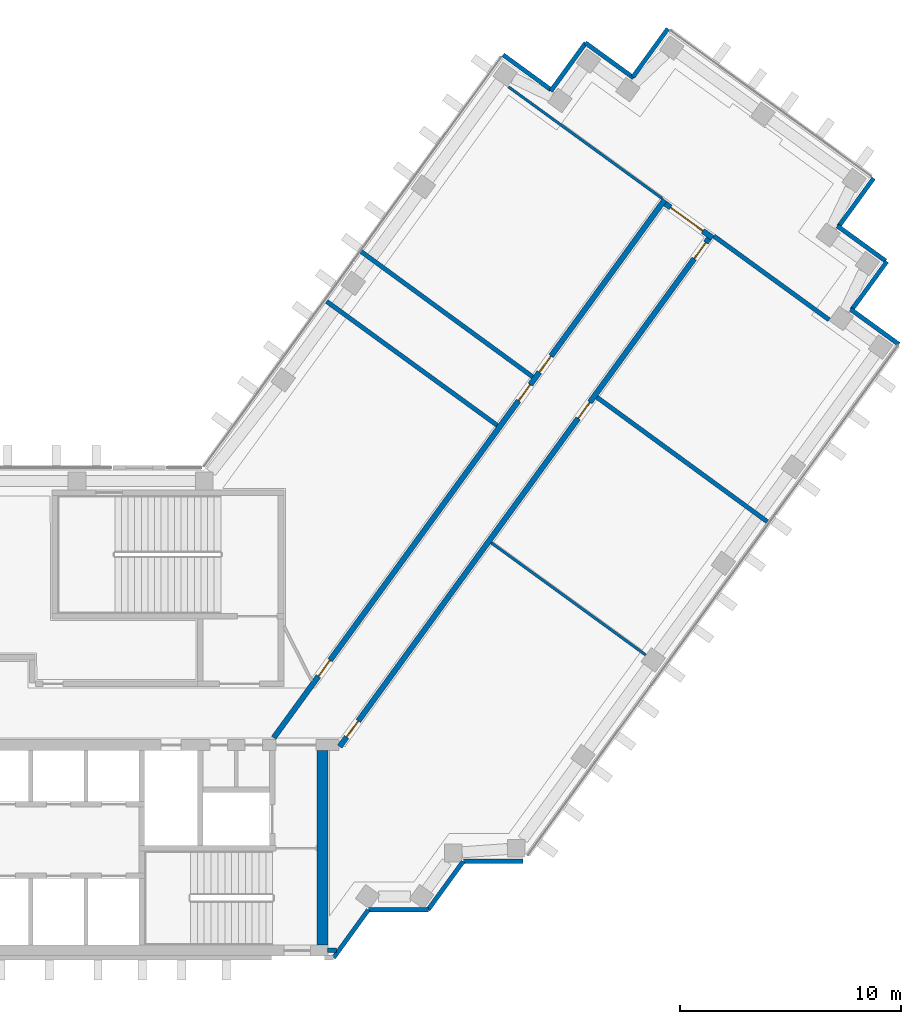
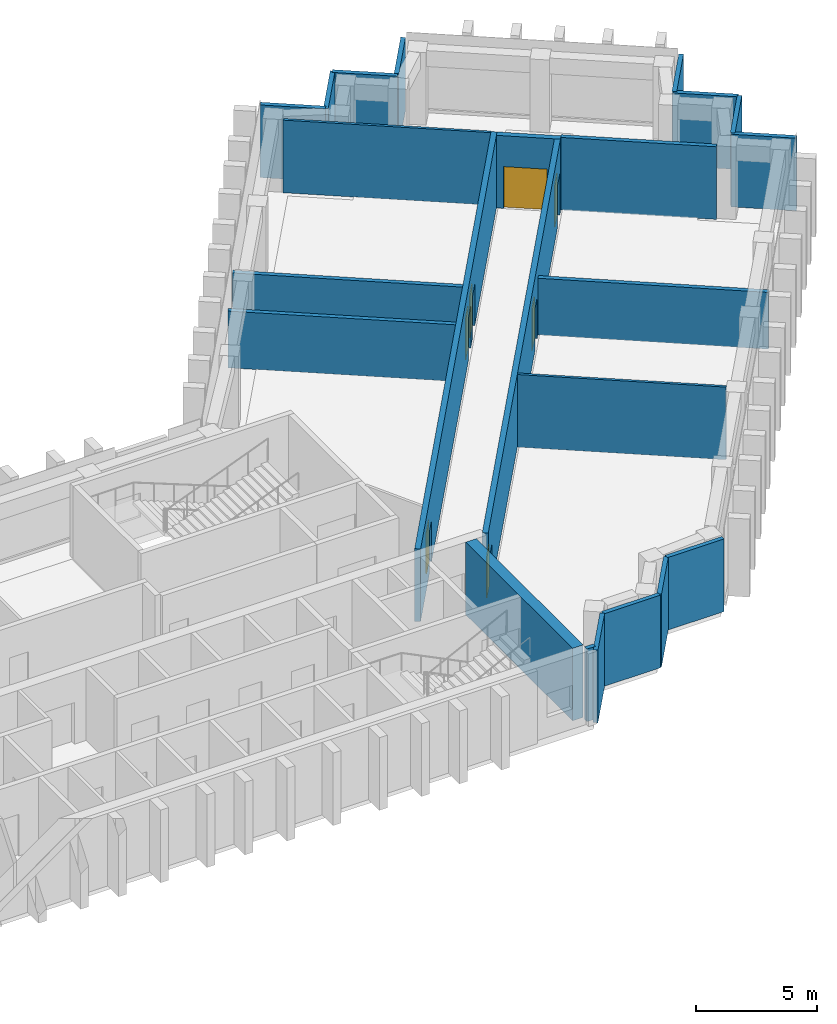
# One storey, part 9 of 12: 23 walls, 7 doors, 7 openings.
"""IFC4 building model written with IfcOpenShell, lengths in metres."""

from ifc_helpers import new_model, si_unit, direction, frame, frame_2d, origin, place, context, subcontext, project, spatial, rectangle, extrude, material, layer, layer_set, type_object, element, fill, save


model = new_model("IFC4")

# Units and contexts
model_context = context("Model", 3, precision=1e-05, world=origin(), true_north=direction((0.0, 1.0)))
body_context = subcontext(model_context, "Body", "Model", "MODEL_VIEW")
ifc_project = project(units=[si_unit("LENGTHUNIT", "METRE"), si_unit("AREAUNIT", "SQUARE_METRE"), si_unit("VOLUMEUNIT", "CUBIC_METRE"), si_unit("PLANEANGLEUNIT", "RADIAN"), si_unit("MASSUNIT", "GRAM", prefix="KILO")], contexts=[model_context])

# Site, building, storey
site_placement = place(None, origin())
site = spatial("IfcSite", under=ifc_project, at=site_placement, CompositionType="ELEMENT")
building_placement = place(site_placement, origin())
building = spatial("IfcBuilding", under=site, at=building_placement, Name="Quipu Civic Tower", CompositionType="ELEMENT")
storey_placement = place(building_placement, frame((0.0, 0.0, 152.0)))
storey = spatial("IfcBuildingStorey", under=building, at=storey_placement, Name="L35", CompositionType="ELEMENT", Elevation=152.0)

# Walls
ifc_material_1 = material(Name="Fired clay blockwork", Category="masonry")
ifc_layer_1 = layer(ifc_material_1, 0.199951171875)
ifc_layer_set_1 = layer_set([ifc_layer_1], Name="Fired clay blockwork")
wall_type_1 = type_object("IfcWallType", Name="Blockwork wall 200", PredefinedType="SOLIDWALL", material=ifc_layer_set_1)
wall_1_placement = place(storey_placement, frame((27.664306640625, 13.015869140625, 0.0), z_axis=(0.0, 0.0, 1.0), x_axis=(-0.80900684162, 0.587799226107, 0.0)))
element("IfcWall", 1, at=wall_1_placement, inside=storey, type_object=wall_type_1, Name="Partition P03", PredefinedType="SOLIDWALL", context=body_context, shape_type="SweptSolid", body=[
    extrude(rectangle(XDim=9.550048828125, YDim=0.199951171875, at=frame_2d((4.77490234375, 0.0))), origin(), (0.0, 0.0, 1.0), 2.85009765625),
])
wall_2_placement = place(storey_placement, frame((21.46875, 20.90771484375, 0.0), z_axis=(0.0, 0.0, 1.0), x_axis=(0.807593618158, -0.589739389824, 0.0)))
element("IfcWall", 2, at=wall_2_placement, inside=storey, type_object=wall_type_1, Name="Partition P04", PredefinedType="SOLIDWALL", context=body_context, shape_type="SweptSolid", body=[
    extrude(rectangle(XDim=9.651123046875, YDim=0.199951171875, at=frame_2d((4.82568359375, 0.0))), origin(), (0.0, 0.0, 1.0), 2.85009765625),
])
wall_3_placement = place(storey_placement, frame((42.68603515625, 17.793701171875, 0.0), z_axis=(0.0, 0.0, 1.0), x_axis=(-0.809017755079, 0.587784205272, 0.0)))
element("IfcWall", 3, at=wall_3_placement, inside=storey, type_object=wall_type_1, Name="Partition P10", PredefinedType="SOLIDWALL", context=body_context, shape_type="SweptSolid", body=[
    extrude(rectangle(XDim=6.444580078125, YDim=0.199951171875, at=frame_2d((3.22216796875, 0.0))), origin(), (0.0, 0.0, 1.0), 3.64990234375),
])
wall_4_placement = place(storey_placement, frame((32.173828125, 14.2880859375, 0.0), z_axis=(0.0, 0.0, 1.0), x_axis=(0.807664588563, -0.589642190131, 0.0)))
element("IfcWall", 4, at=wall_4_placement, inside=storey, type_object=wall_type_1, Name="Partition P11", PredefinedType="SOLIDWALL", context=body_context, shape_type="SweptSolid", body=[
    extrude(rectangle(XDim=9.549560546875, YDim=0.199951171875, at=frame_2d((4.77490234375, 0.0))), origin(), (0.0, 0.0, 1.0), 2.85009765625),
])
ifc_material_2 = material(Name="Concrete C70/85", Category="concrete")
ifc_layer_2 = layer(ifc_material_2, 0.5)
ifc_layer_set_2 = layer_set([ifc_layer_2], Name="Concrete C70/85")
wall_type_2 = type_object("IfcWallType", Name="Core wall 500", PredefinedType="SHEAR", material=ifc_layer_set_2)
wall_5_placement = place(storey_placement, frame((19.75, -10.5, 0.0), z_axis=(0.0, 0.0, 1.0), x_axis=(0.0, 1.0, 0.0)))
element("IfcWall", 5, at=wall_5_placement, inside=storey, type_object=wall_type_2, Name="Core wall", PredefinedType="SHEAR", context=body_context, shape_type="SweptSolid", body=[
    extrude(rectangle(XDim=8.800048828125, YDim=0.5, at=frame_2d((4.39990234375, 0.0))), origin(), (0.0, 0.0, 1.0), 3.64990234375),
])

# Wall, openings, doors
ifc_material_3 = material(Name="Concrete C50/60", Category="concrete")
ifc_layer_3 = layer(ifc_material_3, 0.25)
ifc_layer_set_3 = layer_set([ifc_layer_3], Name="Concrete C50/60")
wall_type_3 = type_object("IfcWallType", Name="Corridor wall 250 concrete", PredefinedType="SOLIDWALL", material=ifc_layer_set_3)
wall_6_placement = place(storey_placement, frame((17.544921875, -1.124755859375, 0.0), z_axis=(0.0, 0.0, 1.0), x_axis=(0.587786330937, 0.809016210693, 0.0)))
wall_6 = element("IfcWall", 6, at=wall_6_placement, inside=storey, type_object=wall_type_3, Name="Corridor wall C01", PredefinedType="SOLIDWALL", context=body_context, shape_type="SweptSolid", body=[
    extrude(rectangle(XDim=30.10302734375, YDim=0.25, at=frame_2d((15.051513671875, 0.0))), origin(), (0.0, 0.0, 1.0), 3.64990234375),
])
opening_1_placement = place(wall_6_placement, frame((3.44140625, 0.0, 0.0)))
opening_1 = element("IfcOpeningElement", 7, at=opening_1_placement, cuts=wall_6, Name="Opening D001", PredefinedType="OPENING", context=body_context, shape_type="SweptSolid", body=[
    extrude(rectangle(XDim=0.89990234375, YDim=2.10009765625, at=frame_2d((0.449951171875, 1.050048828125))), frame((0.0, 0.135009765625, 0.0), z_axis=(0.0, -1.0, 0.0), x_axis=(1.0, 0.0, 0.0)), (0.0, 0.0, 1.0), 0.27001953125),
])
opening_2_placement = place(wall_6_placement, frame((20.457275390625, 0.0, 0.0)))
opening_2 = element("IfcOpeningElement", 8, at=opening_2_placement, cuts=wall_6, Name="Opening D003", PredefinedType="OPENING", context=body_context, shape_type="SweptSolid", body=[
    extrude(rectangle(XDim=0.89990234375, YDim=2.10009765625, at=frame_2d((0.449951171875, 1.050048828125))), frame((0.0, 0.135009765625, 0.0), z_axis=(0.0, -1.0, 0.0), x_axis=(1.0, 0.0, 0.0)), (0.0, 0.0, 1.0), 0.27001953125),
])
opening_3_placement = place(wall_6_placement, frame((18.85791015625, 0.0, 0.0)))
opening_3 = element("IfcOpeningElement", 9, at=opening_3_placement, cuts=wall_6, Name="Opening D002", PredefinedType="OPENING", context=body_context, shape_type="SweptSolid", body=[
    extrude(rectangle(XDim=0.89990234375, YDim=2.10009765625, at=frame_2d((0.449951171875, 1.050048828125))), frame((0.0, 0.135009765625, 0.0), z_axis=(0.0, -1.0, 0.0), x_axis=(1.0, 0.0, 0.0)), (0.0, 0.0, 1.0), 0.27001953125),
])
ifc_material_4 = material(Name="Fire rated timber door set with metal frame", Category="wood")
door_type_1 = type_object("IfcDoorType", Name="Single door 900 x 2100 FD60", OperationType="NOTDEFINED", PredefinedType="DOOR", material=ifc_material_4)
door_1_placement = place(opening_1_placement, origin())
door_1 = element("IfcDoor", 10, at=door_1_placement, inside=storey, type_object=door_type_1, Name="Door D001", OperationType="SINGLE_SWING_LEFT", OverallHeight=2.10009765625, OverallWidth=0.89990234375, PredefinedType="DOOR", context=body_context, shape_type="SweptSolid", body=[
    extrude(rectangle(XDim=0.89990234375, YDim=2.10009765625, at=frame_2d((0.449951171875, 1.050048828125))), frame((0.0, 0.02490234375, 0.0), z_axis=(0.0, -1.0, 0.0), x_axis=(1.0, 0.0, 0.0)), (0.0, 0.0, 1.0), 0.050048828125),
])
fill(opening_1, door_1)
door_2_placement = place(opening_2_placement, origin())
door_2 = element("IfcDoor", 11, at=door_2_placement, inside=storey, type_object=door_type_1, Name="Door D003", OperationType="SINGLE_SWING_LEFT", OverallHeight=2.10009765625, OverallWidth=0.89990234375, PredefinedType="DOOR", context=body_context, shape_type="SweptSolid", body=[
    extrude(rectangle(XDim=0.89990234375, YDim=2.10009765625, at=frame_2d((0.449951171875, 1.050048828125))), frame((0.0, 0.02490234375, 0.0), z_axis=(0.0, -1.0, 0.0), x_axis=(1.0, 0.0, 0.0)), (0.0, 0.0, 1.0), 0.050048828125),
])
fill(opening_2, door_2)
door_3_placement = place(opening_3_placement, origin())
door_3 = element("IfcDoor", 12, at=door_3_placement, inside=storey, type_object=door_type_1, Name="Door D002", OperationType="SINGLE_SWING_RIGHT", OverallHeight=2.10009765625, OverallWidth=0.89990234375, PredefinedType="DOOR", context=body_context, shape_type="SweptSolid", body=[
    extrude(rectangle(XDim=0.89990234375, YDim=2.10009765625, at=frame_2d((0.449951171875, 1.050048828125))), frame((0.0, 0.02490234375, 0.0), z_axis=(0.0, -1.0, 0.0), x_axis=(1.0, 0.0, 0.0)), (0.0, 0.0, 1.0), 0.050048828125),
])
fill(opening_3, door_3)

# Wall, opening, door
wall_7_placement = place(storey_placement, frame((35.2666015625, 23.054443359375, 0.0), z_axis=(0.0, 0.0, 1.0), x_axis=(0.809038743598, -0.587755315891, 0.0)))
wall_7 = element("IfcWall", 13, at=wall_7_placement, inside=storey, type_object=wall_type_3, Name="Corridor wall C02", PredefinedType="SOLIDWALL", context=body_context, shape_type="SweptSolid", body=[
    extrude(rectangle(XDim=2.650146484375, YDim=0.25, at=frame_2d((1.3251953125, 0.0))), origin(), (0.0, 0.0, 1.0), 3.64990234375),
])
opening_4_placement = place(wall_7_placement, frame((0.300048828125, 0.0, 0.0)))
opening_4 = element("IfcOpeningElement", 14, at=opening_4_placement, cuts=wall_7, Name="Opening D007", PredefinedType="OPENING", context=body_context, shape_type="SweptSolid", body=[
    extrude(rectangle(XDim=1.800048828125, YDim=2.10009765625, at=frame_2d((0.89990234375, 1.050048828125))), frame((0.0, 0.135009765625, 0.0), z_axis=(0.0, -1.0, 0.0), x_axis=(1.0, 0.0, 0.0)), (0.0, 0.0, 1.0), 0.27001953125),
])
ifc_material_5 = material(Name="Fire rated timber door set with metal frame", Category="wood")
door_type_2 = type_object("IfcDoorType", Name="Double door 1800 x 2100 FD60", OperationType="DOUBLE_DOOR_SINGLE_SWING", PredefinedType="DOOR", material=ifc_material_5)
door_4_placement = place(opening_4_placement, origin())
door_4 = element("IfcDoor", 15, at=door_4_placement, inside=storey, type_object=door_type_2, Name="Door D007", OperationType="DOUBLE_DOOR_SINGLE_SWING", OverallHeight=2.10009765625, OverallWidth=1.800048828125, PredefinedType="DOOR", context=body_context, shape_type="SweptSolid", body=[
    extrude(rectangle(XDim=1.800048828125, YDim=2.10009765625, at=frame_2d((0.89990234375, 1.050048828125))), frame((0.0, 0.02490234375, 0.0), z_axis=(0.0, -1.0, 0.0), x_axis=(1.0, 0.0, 0.0)), (0.0, 0.0, 1.0), 0.050048828125),
])
fill(opening_4, door_4)

# Wall, openings, doors
wall_8_placement = place(storey_placement, frame((37.236083984375, 21.46923828125, 0.0), z_axis=(0.0, 0.0, 1.0), x_axis=(-0.58778344073, -0.809018310549, 0.0)))
wall_8 = element("IfcWall", 16, at=wall_8_placement, inside=storey, type_object=wall_type_3, Name="Corridor wall C03", PredefinedType="SOLIDWALL", context=body_context, shape_type="SweptSolid", body=[
    extrude(rectangle(XDim=28.42041015625, YDim=0.25, at=frame_2d((14.210205078125, 0.0))), origin(), (0.0, 0.0, 1.0), 3.64990234375),
])
opening_5_placement = place(wall_8_placement, frame((26.987548828125, 0.0, 0.0)))
opening_5 = element("IfcOpeningElement", 17, at=opening_5_placement, cuts=wall_8, Name="Opening D004", PredefinedType="OPENING", context=body_context, shape_type="SweptSolid", body=[
    extrude(rectangle(XDim=0.89990234375, YDim=2.10009765625, at=frame_2d((0.449951171875, 1.050048828125))), frame((0.0, 0.135009765625, 0.0), z_axis=(0.0, -1.0, 0.0), x_axis=(1.0, 0.0, 0.0)), (0.0, 0.0, 1.0), 0.27001953125),
])
opening_6_placement = place(wall_8_placement, frame((0.224365234375, 0.0, 0.0)))
opening_6 = element("IfcOpeningElement", 18, at=opening_6_placement, cuts=wall_8, Name="Opening D006", PredefinedType="OPENING", context=body_context, shape_type="SweptSolid", body=[
    extrude(rectangle(XDim=0.89990234375, YDim=2.10009765625, at=frame_2d((0.449951171875, 1.050048828125))), frame((0.0, 0.135009765625, 0.0), z_axis=(0.0, -1.0, 0.0), x_axis=(1.0, 0.0, 0.0)), (0.0, 0.0, 1.0), 0.27001953125),
])
opening_7_placement = place(wall_8_placement, frame((9.15478515625, 0.0, 0.0)))
opening_7 = element("IfcOpeningElement", 19, at=opening_7_placement, cuts=wall_8, Name="Opening D005", PredefinedType="OPENING", context=body_context, shape_type="SweptSolid", body=[
    extrude(rectangle(XDim=0.89990234375, YDim=2.10009765625, at=frame_2d((0.449951171875, 1.050048828125))), frame((0.0, 0.135009765625, 0.0), z_axis=(0.0, -1.0, 0.0), x_axis=(1.0, 0.0, 0.0)), (0.0, 0.0, 1.0), 0.27001953125),
])
door_5_placement = place(opening_5_placement, origin())
door_5 = element("IfcDoor", 20, at=door_5_placement, inside=storey, type_object=door_type_1, Name="Door D004", OperationType="SINGLE_SWING_RIGHT", OverallHeight=2.10009765625, OverallWidth=0.89990234375, PredefinedType="DOOR", context=body_context, shape_type="SweptSolid", body=[
    extrude(rectangle(XDim=0.89990234375, YDim=2.10009765625, at=frame_2d((0.449951171875, 1.050048828125))), frame((0.0, 0.02490234375, 0.0), z_axis=(0.0, -1.0, 0.0), x_axis=(1.0, 0.0, 0.0)), (0.0, 0.0, 1.0), 0.050048828125),
])
fill(opening_5, door_5)
door_6_placement = place(opening_6_placement, origin())
door_6 = element("IfcDoor", 21, at=door_6_placement, inside=storey, type_object=door_type_1, Name="Door D006", OperationType="SINGLE_SWING_LEFT", OverallHeight=2.10009765625, OverallWidth=0.89990234375, PredefinedType="DOOR", context=body_context, shape_type="SweptSolid", body=[
    extrude(rectangle(XDim=0.89990234375, YDim=2.10009765625, at=frame_2d((0.449951171875, 1.050048828125))), frame((0.0, 0.02490234375, 0.0), z_axis=(0.0, -1.0, 0.0), x_axis=(1.0, 0.0, 0.0)), (0.0, 0.0, 1.0), 0.050048828125),
])
fill(opening_6, door_6)
door_7_placement = place(opening_7_placement, origin())
door_7 = element("IfcDoor", 22, at=door_7_placement, inside=storey, type_object=door_type_1, Name="Door D005", OperationType="SINGLE_SWING_LEFT", OverallHeight=2.10009765625, OverallWidth=0.89990234375, PredefinedType="DOOR", context=body_context, shape_type="SweptSolid", body=[
    extrude(rectangle(XDim=0.89990234375, YDim=2.10009765625, at=frame_2d((0.449951171875, 1.050048828125))), frame((0.0, 0.02490234375, 0.0), z_axis=(0.0, -1.0, 0.0), x_axis=(1.0, 0.0, 0.0)), (0.0, 0.0, 1.0), 0.050048828125),
])
fill(opening_7, door_7)

# Walls
ifc_material_6 = material(Name="Gypsum plasterboard on light gauge framing")
ifc_layer_4 = layer(ifc_material_6, 0.1201171875)
ifc_layer_set_4 = layer_set([ifc_layer_4], Name="Gypsum plasterboard on light gauge framing")
wall_type_4 = type_object("IfcWallType", Name="Partition 120 plasterboard", PredefinedType="PARTITIONING", material=ifc_layer_set_4)
wall_9_placement = place(storey_placement, frame((35.1259765625, 23.286376953125, 0.0), z_axis=(0.0, 0.0, 1.0), x_axis=(-0.809030614944, 0.58776650473, 0.0)))
element("IfcWall", 23, at=wall_9_placement, inside=storey, type_object=wall_type_4, Name="Partition P05", PredefinedType="PARTITIONING", context=body_context, shape_type="SweptSolid", body=[
    extrude(rectangle(XDim=8.599853515625, YDim=0.1201171875, at=frame_2d((4.2998046875, 0.0))), origin(), (0.0, 0.0, 1.0), 3.64990234375),
])
wall_10_placement = place(storey_placement, frame((34.383056640625, 2.622314453125, 0.0), z_axis=(0.0, 0.0, 1.0), x_axis=(-0.809060825193, 0.587724919617, 0.0)))
element("IfcWall", 24, at=wall_10_placement, inside=storey, type_object=wall_type_4, Name="Partition P06", PredefinedType="PARTITIONING", context=body_context, shape_type="SweptSolid", body=[
    extrude(rectangle(XDim=8.64453125, YDim=0.1201171875, at=frame_2d((4.322265625, 0.0))), origin(), (0.0, 0.0, 1.0), 3.64990234375),
])
ifc_material_7 = material(Name="Precast concrete C40/50", Category="concrete")
wall_type_5 = type_object("IfcWallType", Name="Precast cladding wall", PredefinedType="SOLIDWALL", material=ifc_material_7)
wall_11_placement = place(storey_placement, frame((20.253173828125, -11.083251953125, 0.0), z_axis=(0.0, 0.0, 1.0), x_axis=(0.587766567315, 0.809030569476, 0.0)))
element("IfcWall", 25, at=wall_11_placement, inside=storey, type_object=wall_type_5, Name="Precast cladding wall L35 P09", PredefinedType="SOLIDWALL", context=body_context, shape_type="SweptSolid", body=[
    extrude(rectangle(XDim=2.687744140625, YDim=0.199951171875, at=frame_2d((1.34375, 0.0))), origin(), (0.0, 0.0, 1.0), 3.64990234375),
])
wall_12_placement = place(storey_placement, frame((21.8427734375, -8.90380859375, 0.0), z_axis=(0.0, 0.0, 1.0), x_axis=(1.0, 0.0, 0.0)))
element("IfcWall", 26, at=wall_12_placement, inside=storey, type_object=wall_type_5, Name="Precast cladding wall L35 P10", PredefinedType="SOLIDWALL", context=body_context, shape_type="SweptSolid", body=[
    extrude(rectangle(XDim=2.699951171875, YDim=0.199951171875, at=frame_2d((1.35009765625, 0.0))), origin(), (0.0, 0.0, 1.0), 3.64990234375),
])
wall_13_placement = place(storey_placement, frame((24.533203125, -8.90869140625, 0.0), z_axis=(0.0, 0.0, 1.0), x_axis=(0.587720002413, 0.809064397168, 0.0)))
element("IfcWall", 27, at=wall_13_placement, inside=storey, type_object=wall_type_5, Name="Precast cladding wall L35 P11", PredefinedType="SOLIDWALL", context=body_context, shape_type="SweptSolid", body=[
    extrude(rectangle(XDim=2.7001953125, YDim=0.199951171875, at=frame_2d((1.35009765625, 0.0))), origin(), (0.0, 0.0, 1.0), 3.64990234375),
])
for number, where, z_axis, x_axis, name in (
    (28, (26.1298828125, -6.71923828125, 0.0), (0.0, 0.0, 1.0), (1.0, 0.0, 0.0), "Precast cladding wall L35 P12"),
    (29, (45.84228515625, 16.6845703125, 0.0), (0.0, 0.0, 1.0), (-0.808958916286, 0.58786518162, 0.0), "Precast cladding wall L35 P14"),
    (30, (43.70947265625, 18.249267578125, 0.0), (0.0, 0.0, 1.0), (0.587762999008, 0.809033161865, 0.0), "Precast cladding wall L35 P15"),
    (31, (45.2451171875, 20.4560546875, 0.0), (0.0, 0.0, 1.0), (-0.809033161865, 0.587762999008, 0.0), "Precast cladding wall L35 P16"),
    (32, (43.112548828125, 22.020263671875, 0.0), (0.0, 0.0, 1.0), (0.587762999008, 0.809033161865, 0.0), "Precast cladding wall L35 P17"),
    (33, (35.3876953125, 30.97021484375, 0.0), (0.0, 0.0, 1.0), (-0.587762999008, -0.809033161865, 0.0), "Precast cladding wall L35 P19"),
    (34, (33.837890625, 28.743896484375, 0.0), (0.0, 0.0, 1.0), (-0.809033161865, 0.587762999008, 0.0), "Precast cladding wall L35 P20"),
    (35, (31.67041015625, 30.33349609375, 0.0), (0.0, 0.0, 1.0), (-0.587762999008, -0.809033161865, 0.0), "Precast cladding wall L35 P21"),
    (36, (30.105712890625, 28.2001953125, 0.0), (0.0, 0.0, 1.0), (-0.809033161865, 0.587762999008, 0.0), "Precast cladding wall L35 P22"),
):
    element("IfcWall", number, at=place(storey_placement, frame(where, z_axis=z_axis, x_axis=x_axis)), inside=storey, type_object=wall_type_5, Name=name, PredefinedType="SOLIDWALL", context=body_context, shape_type="SweptSolid", body=[
        extrude(rectangle(XDim=2.699951171875, YDim=0.199951171875, at=frame_2d((1.35009765625, 0.0))), origin(), (0.0, 0.0, 1.0), 3.64990234375),
    ])
wall_14_placement = place(storey_placement, frame((19.97998046875, -10.75, 0.0), z_axis=(0.0, 0.0, 1.0), x_axis=(1.0, 0.0, 0.0)))
element("IfcWall", 37, at=wall_14_placement, inside=storey, type_object=wall_type_5, Name="Precast cladding return L35 E", PredefinedType="SOLIDWALL", context=body_context, shape_type="SweptSolid", body=[
    extrude(rectangle(XDim=0.41650390625, YDim=0.199951171875, at=frame_2d((0.208251953125, 0.0))), origin(), (0.0, 0.0, 1.0), 3.64990234375),
])

save(model, "model.ifc")
